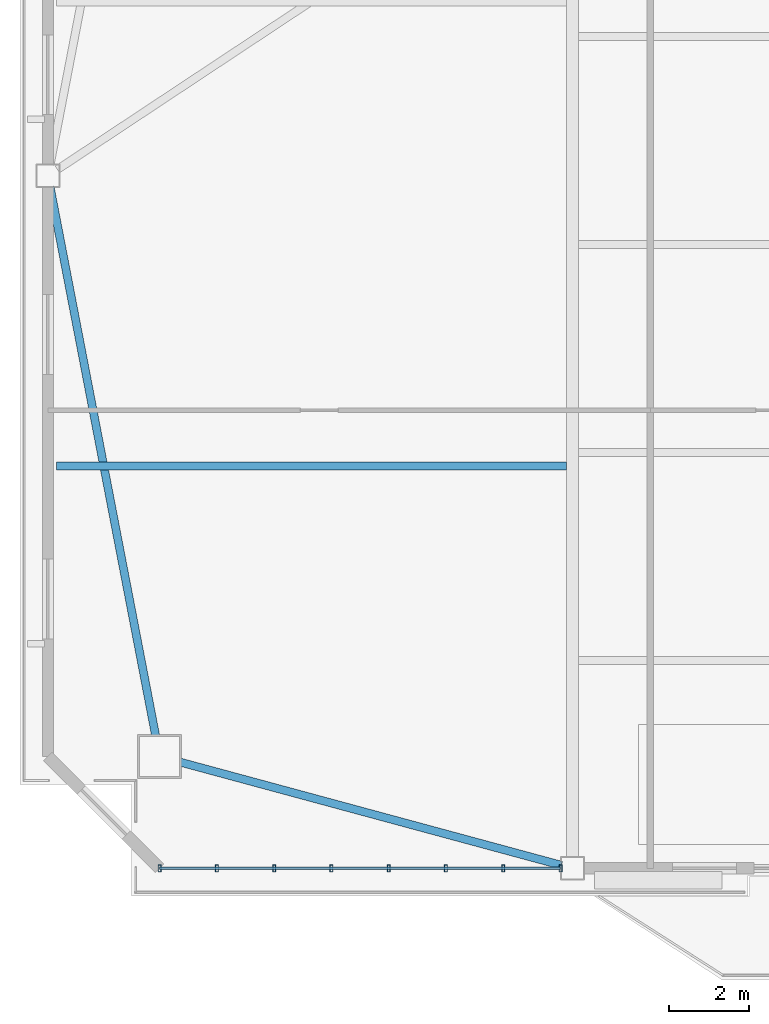
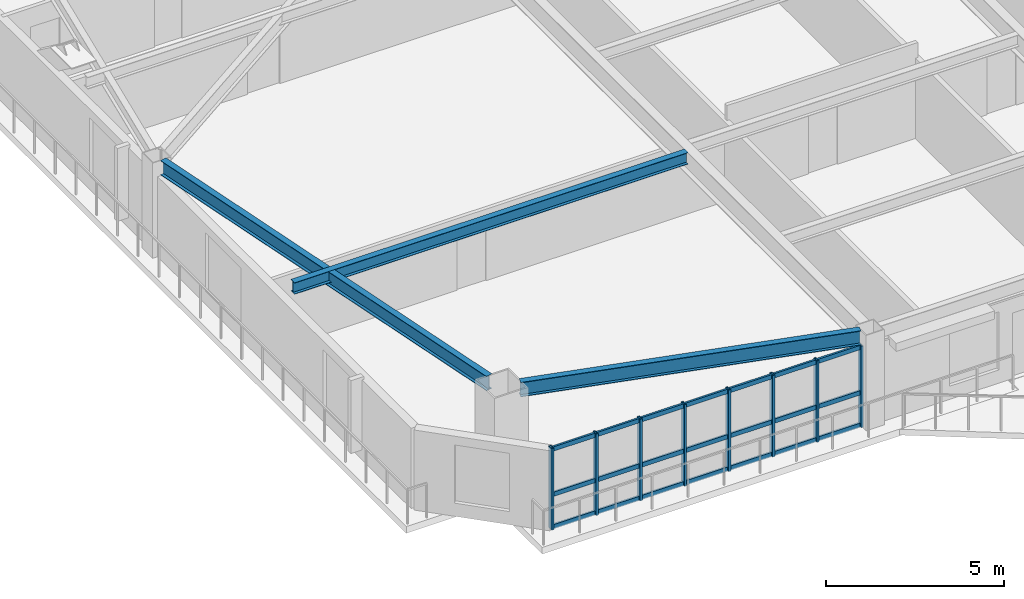
# One storey, part 2 of 17: 11 members, 3 beams, 1 element without a shape of its own.
"""IFC4 building model written with IfcOpenShell, lengths in metres."""

import ifcopenshell
import ifcopenshell.guid

model = None  # the IFC model being written
_history = None  # IfcOwnerHistory: only IFC2X3 demands one
_inside = {}  # id of a spatial element -> (the spatial element, [elements in it])
_under = {}  # id of a project, library or spatial element -> (it, [spatial elements below it])
_declared = {}  # id of a project -> (the project, [libraries it declares])
_typed = {}  # id of a type object -> (the type object, [elements of that type])
_made_of = {}  # id of a material, layer set ... -> (it, [elements and type objects made of it])


def new_model(schema):
    """Start an empty IFC model of exactly this schema.

    Asked for "IFC4X3", IfcOpenShell would pick the latest addendum, in which some entities
    have other attributes; the version numbers below select the first issue.
    IFC2X3 requires an IfcOwnerHistory on every rooted entity: one is made here for all.
    """
    global model, _history
    if schema == "IFC4X3":
        model = ifcopenshell.file(schema_version=(4, 3, 0, 0))
    else:
        model = ifcopenshell.file(schema=schema)
    _inside.clear()
    _under.clear()
    _declared.clear()
    _typed.clear()
    _made_of.clear()
    _history = None
    if model.schema == "IFC2X3":
        org = make("IfcOrganization", Name="unknown")
        user = make(
            "IfcPersonAndOrganization",
            ThePerson=make("IfcPerson", FamilyName="unknown"),
            TheOrganization=org,
        )
        app = make(
            "IfcApplication",
            ApplicationDeveloper=org,
            Version="unknown",
            ApplicationFullName="unknown",
            ApplicationIdentifier="unknown",
        )
        _history = make(
            "IfcOwnerHistory",
            OwningUser=user,
            OwningApplication=app,
            ChangeAction="ADDED",
            CreationDate=0,
        )
    return model


def make(cls, **values):
    """One entity of the class cls with the attributes given. An attribute that is None is left unset."""
    return model.create_entity(
        cls, **{name: value for name, value in values.items() if value is not None}
    )


def rooted(cls, **values):
    """An entity with a GlobalId (a new one), such as an element, a storey or a relation."""
    return make(cls, GlobalId=ifcopenshell.guid.new(), OwnerHistory=_history, **values)


def si_unit(unit_type, name, prefix=None):
    """IfcSIUnit, for example si_unit("LENGTHUNIT", "METRE", prefix="MILLI")."""
    return make("IfcSIUnit", UnitType=unit_type, Prefix=prefix, Name=name)


def assignment(units):
    """IfcUnitAssignment: the units of a project."""
    return None if units is None else make("IfcUnitAssignment", Units=units)


def point(xyz):
    """IfcCartesianPoint."""
    return None if xyz is None else make("IfcCartesianPoint", Coordinates=xyz)


def direction(xyz):
    """IfcDirection."""
    return None if xyz is None else make("IfcDirection", DirectionRatios=xyz)


def frame(location, z_axis=None, x_axis=None):
    """IfcAxis2Placement3D, a coordinate frame: its origin and axes. An axis left out is left unset."""
    return make(
        "IfcAxis2Placement3D",
        Location=point(location),
        Axis=direction(z_axis),
        RefDirection=direction(x_axis),
    )


def frame_2d(location, x_axis=None):
    """IfcAxis2Placement2D, a coordinate frame in the plane: its origin and x axis."""
    return make(
        "IfcAxis2Placement2D", Location=point(location), RefDirection=direction(x_axis)
    )


def origin():
    """The frame at (0, 0, 0) with its axes left unset."""
    return frame((0.0, 0.0, 0.0))


def origin_2d():
    """The frame at (0, 0) in the plane with its x axis left unset."""
    return frame_2d((0.0, 0.0))


def place(relative_to, where):
    """IfcLocalPlacement: puts the frame where relative to a parent placement (None: the world)."""
    return make(
        "IfcLocalPlacement", PlacementRelTo=relative_to, RelativePlacement=where
    )


def context(
    kind, dimensions, precision=None, world=None, true_north=None, identifier=None
):
    """IfcGeometricRepresentationContext, for example the 3D "Model" context."""
    return make(
        "IfcGeometricRepresentationContext",
        ContextIdentifier=identifier,
        ContextType=kind,
        CoordinateSpaceDimension=dimensions,
        Precision=precision,
        WorldCoordinateSystem=world,
        TrueNorth=true_north,
    )


def subcontext(parent, identifier, kind, view, scale=None):
    """IfcGeometricRepresentationSubContext, for example "Body" below "Model"."""
    return make(
        "IfcGeometricRepresentationSubContext",
        ContextIdentifier=identifier,
        ContextType=kind,
        ParentContext=parent,
        TargetScale=scale,
        TargetView=view,
    )


def project(units=None, contexts=None):
    """IfcProject with its units and contexts."""
    return rooted(
        "IfcProject",
        Name="project",
        RepresentationContexts=contexts,
        UnitsInContext=assignment(units),
    )


def spatial(cls, under=None, at=None, **own):
    """A site, building, storey or space (cls), placed at a placement, below another one or the project."""
    s = rooted(cls, ObjectPlacement=at, **own)
    if under is not None:
        _under.setdefault(under.id(), (under, []))[1].append(s)
    return s


def profile(cls, at=None, kind="AREA", **sizes):
    """A parametric profile (cls). Its sizes go by their IFC names, for example OverallWidth=200.0."""
    return make(cls, ProfileType=kind, Position=at, **sizes)


def hollow_rectangle(**sizes):
    """IfcRectangleHollowProfileDef."""
    return profile("IfcRectangleHollowProfileDef", **sizes)


def i_section(**sizes):
    """IfcIShapeProfileDef."""
    return profile("IfcIShapeProfileDef", **sizes)


def extrude(swept, where, along, depth):
    """IfcExtrudedAreaSolid: the profile swept, set in the frame where, extruded along a direction by depth."""
    return make(
        "IfcExtrudedAreaSolid",
        SweptArea=swept,
        Position=where,
        ExtrudedDirection=direction(along),
        Depth=depth,
    )


def shape(context_of_items, identifier, shape_type, items):
    """IfcShapeRepresentation: the items that make up one representation, for example the "Body"."""
    return make(
        "IfcShapeRepresentation",
        ContextOfItems=context_of_items,
        RepresentationIdentifier=identifier,
        RepresentationType=shape_type,
        Items=items,
    )


def source(mapping_origin, context_of_items, identifier, shape_type, items):
    """IfcRepresentationMap: a shape defined once, which mapped items show again and again."""
    return make(
        "IfcRepresentationMap",
        MappingOrigin=mapping_origin,
        MappedRepresentation=shape(context_of_items, identifier, shape_type, items),
    )


def transform(
    local_origin,
    x_axis=None,
    y_axis=None,
    z_axis=None,
    scale=None,
    scale2=None,
    scale3=None,
    uniform=True,
):
    """IfcCartesianTransformationOperator3D, or its non-uniform kind. x_axis, y_axis, z_axis: its Axis1, 2, 3."""
    if uniform:
        return make(
            "IfcCartesianTransformationOperator3D",
            Axis1=direction(x_axis),
            Axis2=direction(y_axis),
            LocalOrigin=point(local_origin),
            Scale=scale,
            Axis3=direction(z_axis),
        )
    return make(
        "IfcCartesianTransformationOperator3DnonUniform",
        Axis1=direction(x_axis),
        Axis2=direction(y_axis),
        LocalOrigin=point(local_origin),
        Scale=scale,
        Axis3=direction(z_axis),
        Scale2=scale2,
        Scale3=scale3,
    )


def mapped(mapping_source, mapping_target):
    """IfcMappedItem: shows the shape of a source again, moved by a transform."""
    return make(
        "IfcMappedItem", MappingSource=mapping_source, MappingTarget=mapping_target
    )


def material(Name=None, Category=None):
    """IfcMaterial."""
    return make("IfcMaterial", Name=Name, Category=Category)


def layer(
    of_material, thickness, ventilated=None, Name=None, Category=None, Priority=None
):
    """IfcMaterialLayer: one layer of a wall or slab, of a material (None: an air gap)."""
    return make(
        "IfcMaterialLayer",
        Material=of_material,
        LayerThickness=thickness,
        IsVentilated=ventilated,
        Name=Name,
        Category=Category,
        Priority=Priority,
    )


def layer_set(layers, Name=None):
    """IfcMaterialLayerSet."""
    return make("IfcMaterialLayerSet", MaterialLayers=layers, LayerSetName=Name)


def material_profile(
    of_material, cross_section, Name=None, Category=None, Priority=None
):
    """IfcMaterialProfile: a cross section and its material."""
    return make(
        "IfcMaterialProfile",
        Name=Name,
        Material=of_material,
        Profile=cross_section,
        Priority=Priority,
        Category=Category,
    )


def profile_set(profiles, Name=None, composite=None):
    """IfcMaterialProfileSet."""
    return make(
        "IfcMaterialProfileSet",
        Name=Name,
        MaterialProfiles=profiles,
        CompositeProfile=composite,
    )


def made_of(thing, what):
    """Note that an element or type object is made of a material, layer set ...; save() writes the relation."""
    if what is not None:
        _made_of.setdefault(what.id(), (what, []))[1].append(thing)
    return thing


def type_object(cls, material=None, **own):
    """A type object (cls), such as IfcWallType, which elements share."""
    return made_of(rooted(cls, **own), material)


def element(
    cls,
    number,
    at=None,
    inside=None,
    cuts=None,
    type_object=None,
    material=None,
    context=None,
    identifier="Body",
    shape_type=None,
    held_by="IfcProductDefinitionShape",
    body=None,
    shapes=None,
    **own,
):
    """One element of the class cls, such as IfcWall. Its Tag is "e" and its number.

    at: its placement. inside: the storey or other place that contains it. cuts: it is an
    opening in that element (IfcRelVoidsElement). A single representation is given by context,
    identifier, shape_type and body (its items); several are given by shapes. held_by: the class
    of the entity that holds the representations. save() writes the other relations.
    """
    e = rooted(cls, Tag="e%d" % number, ObjectPlacement=at, **own)
    if body is not None:
        shapes = [shape(context, identifier, shape_type, body)]
    if shapes is not None:
        e.Representation = make(held_by, Representations=shapes)
    if inside is not None:
        _inside.setdefault(inside.id(), (inside, []))[1].append(e)
    if cuts is not None:
        rooted(
            "IfcRelVoidsElement", RelatingBuildingElement=cuts, RelatedOpeningElement=e
        )
    if type_object is not None:
        _typed.setdefault(type_object.id(), (type_object, []))[1].append(e)
    return made_of(e, material)


def aggregate(whole, parts):
    """IfcRelAggregates: a whole, such as a stair, and the parts it consists of."""
    return rooted("IfcRelAggregates", RelatingObject=whole, RelatedObjects=parts)


def save(model, path):
    """Write the relations noted so far, then the file.

    IfcRelAggregates (storeys below a building ...), IfcRelContainedInSpatialStructure (elements
    in a storey), IfcRelDefinesByType, IfcRelAssociatesMaterial and IfcRelDeclares: one each for
    every whole, place, type object, material and project.
    """
    for whole, parts in _under.values():
        aggregate(whole, parts)
    for where, things in _inside.values():
        rooted(
            "IfcRelContainedInSpatialStructure",
            RelatedElements=things,
            RelatingStructure=where,
        )
    for kind, things in _typed.values():
        rooted("IfcRelDefinesByType", RelatedObjects=things, RelatingType=kind)
    for what, things in _made_of.values():
        rooted("IfcRelAssociatesMaterial", RelatedObjects=things, RelatingMaterial=what)
    for by, libraries in _declared.values():
        rooted("IfcRelDeclares", RelatingContext=by, RelatedDefinitions=libraries)
    model.write(path)


model = new_model("IFC4")

# Units and contexts
model_context = context("Model", 3, precision=1e-05, world=origin(), true_north=direction((0.0, 1.0)))
body_context = subcontext(model_context, "Body", "Model", "MODEL_VIEW")
ifc_project = project(units=[si_unit("LENGTHUNIT", "METRE"), si_unit("AREAUNIT", "SQUARE_METRE"), si_unit("VOLUMEUNIT", "CUBIC_METRE"), si_unit("PLANEANGLEUNIT", "RADIAN"), si_unit("MASSUNIT", "GRAM", prefix="KILO")], contexts=[model_context])

# Site, building, storey
site_placement = place(None, origin())
site = spatial("IfcSite", under=ifc_project, at=site_placement, CompositionType="ELEMENT")
building_placement = place(site_placement, origin())
building = spatial("IfcBuilding", under=site, at=building_placement, Name="Giltprow Tower", CompositionType="ELEMENT")
storey_placement = place(building_placement, frame((0.0, 0.0, 206.199951171875)))
storey = spatial("IfcBuildingStorey", under=building, at=storey_placement, Name="L52", CompositionType="ELEMENT", Elevation=206.199951171875)

# Beams
ifc_material_1 = material(Name="Structural steel Q355B", Category="steel")
ifc_material_profile_1 = material_profile(ifc_material_1, i_section(OverallWidth=0.199951171875, OverallDepth=0.5, WebThickness=0.010009765625, FlangeThickness=0.01611328125, at=origin_2d()), Name="HN 500x200x10x16")
ifc_profile_set_1 = profile_set([ifc_material_profile_1], Name="Structural steel Q355B")
beam_type_1 = type_object("IfcBeamType", Name="BM-SPAN-HN500", PredefinedType="SPANDREL", material=ifc_profile_set_1)
shared_shape_1 = source(origin(), body_context, "Body", "SweptSolid", [
    extrude(i_section(OverallWidth=0.199951171875, OverallDepth=0.5, WebThickness=0.010009765625, FlangeThickness=0.01611328125, at=origin_2d()), origin(), (0.0, 0.0, 1.0), 9.899658203125),
])
beam_1_placement = place(storey_placement, frame((10.01904296875, 14.0458984375, 3.02001953125), z_axis=(0.965280411384, -0.261215863605, 0.0), x_axis=(0.261215863605, 0.965280411384, 0.0)))
element("IfcBeam", 1, at=beam_1_placement, inside=storey, type_object=beam_type_1, Name="L52 Perimeter Spandrel Beam MC_SW-S1", PredefinedType="SPANDREL", context=body_context, shape_type="MappedRepresentation", body=[
    mapped(shared_shape_1, transform((0.0, 0.0, 0.0), x_axis=(1.0, 0.0, 0.0), y_axis=(0.0, 1.0, 0.0), z_axis=(0.0, 0.0, 1.0), scale=1.0)),
])
shared_shape_2 = source(origin(), body_context, "Body", "SweptSolid", [
    extrude(i_section(OverallWidth=0.199951171875, OverallDepth=0.5, WebThickness=0.010009765625, FlangeThickness=0.01611328125, at=origin_2d()), origin(), (0.0, 0.0, 1.0), 14.00390625),
])
beam_2_placement = place(storey_placement, frame((6.757080078125, 28.462890625, 3.02001953125), z_axis=(0.188875844444, -0.982000975247, 0.0), x_axis=(0.982000975247, 0.188875844444, 0.0)))
element("IfcBeam", 2, at=beam_2_placement, inside=storey, type_object=beam_type_1, Name="L52 Perimeter Spandrel Beam W_MID-MC_SW", PredefinedType="SPANDREL", context=body_context, shape_type="MappedRepresentation", body=[
    mapped(shared_shape_2, transform((0.0, 0.0, 0.0), x_axis=(1.0, 0.0, 0.0), y_axis=(0.0, 1.0, 0.0), z_axis=(0.0, 0.0, 1.0), scale=1.0)),
])
ifc_material_profile_2 = material_profile(ifc_material_1, i_section(OverallWidth=0.199951171875, OverallDepth=0.39990234375, WebThickness=0.008056640625, FlangeThickness=0.012939453125, at=origin_2d()), Name="HN 400x200x8x13")
ifc_profile_set_2 = profile_set([ifc_material_profile_2], Name="Structural steel Q355B")
beam_type_2 = type_object("IfcBeamType", Name="BM-JOIST-HN400", PredefinedType="JOIST", material=ifc_profile_set_2)
shared_shape_3 = source(origin(), body_context, "Body", "SweptSolid", [
    extrude(i_section(OverallWidth=0.199951171875, OverallDepth=0.39990234375, WebThickness=0.008056640625, FlangeThickness=0.012939453125, at=origin_2d()), origin(), (0.0, 0.0, 1.0), 12.781982421875),
])
beam_3_placement = place(storey_placement, frame((6.923095703125, 21.465087890625, 3.070068359375), z_axis=(1.0, 0.0, 0.0), x_axis=(0.0, 1.0, 0.0)))
element("IfcBeam", 3, at=beam_3_placement, inside=storey, type_object=beam_type_2, Name="L52 West Wing Floor Joist 1", PredefinedType="JOIST", context=body_context, shape_type="MappedRepresentation", body=[
    mapped(shared_shape_3, transform((0.0, 0.0, 0.0), x_axis=(1.0, 0.0, 0.0), y_axis=(0.0, 1.0, 0.0), z_axis=(0.0, 0.0, 1.0), scale=1.0)),
])

# Curtain wall, members
ifc_material_2 = material(Name="Anodized bronze", Category="metal")
ifc_layer = layer(ifc_material_2, 0.179931640625, Name="Anodized bronze")
ifc_layer_set = layer_set([ifc_layer], Name="Anodized bronze")
curtain_wall_type = type_object("IfcCurtainWallType", Name="CW-HTL-BRONZE", PredefinedType="NOTDEFINED", material=ifc_layer_set)
curtain_wall_placement = place(storey_placement, origin())
curtain_wall = element("IfcCurtainWall", 4, at=curtain_wall_placement, inside=storey, type_object=curtain_wall_type, Name="L52 South Recessed Curtain Wall 1", PredefinedType="NOTDEFINED")
ifc_material_profile_3 = material_profile(ifc_material_2, hollow_rectangle(XDim=0.074951171875, YDim=0.179931640625, WallThickness=0.008056640625, at=origin_2d()), Name="RHS 180x75x8")
ifc_profile_set_3 = profile_set([ifc_material_profile_3], Name="Anodized bronze")
member_type_1 = type_object("IfcMemberType", Name="CW-MULLION-180x75", PredefinedType="MULLION", material=ifc_profile_set_3)
shared_shape_4 = source(origin(), body_context, "Body", "SweptSolid", [
    extrude(hollow_rectangle(XDim=0.074951171875, YDim=0.179931640625, WallThickness=0.008056640625, at=origin_2d()), origin(), (0.0, 0.0, 1.0), 2.80517578125),
])
member_1_placement = place(storey_placement, frame((9.5029296875, 11.385986328125, -0.02001953125), z_axis=(0.0, 0.0, 1.0), x_axis=(1.0, 0.0, 0.0)))
member_1 = element("IfcMember", 5, at=member_1_placement, type_object=member_type_1, Name="L52 South Recessed Curtain Wall 1 Mullion 1", PredefinedType="MULLION", context=body_context, shape_type="MappedRepresentation", body=[
    mapped(shared_shape_4, transform((0.0, 0.0, 0.0), x_axis=(1.0, 0.0, 0.0), y_axis=(0.0, 1.0, 0.0), z_axis=(0.0, 0.0, 1.0), scale=1.0)),
])
member_2_placement = place(storey_placement, frame((10.93798828125, 11.385986328125, -0.02001953125), z_axis=(0.0, 0.0, 1.0), x_axis=(1.0, 0.0, 0.0)))
member_2 = element("IfcMember", 6, at=member_2_placement, type_object=member_type_1, Name="L52 South Recessed Curtain Wall 1 Mullion 2", PredefinedType="MULLION", context=body_context, shape_type="MappedRepresentation", body=[
    mapped(shared_shape_4, transform((0.0, 0.0, 0.0), x_axis=(1.0, 0.0, 0.0), y_axis=(0.0, 1.0, 0.0), z_axis=(0.0, 0.0, 1.0), scale=1.0)),
])
member_3_placement = place(storey_placement, frame((12.3740234375, 11.385986328125, -0.02001953125), z_axis=(0.0, 0.0, 1.0), x_axis=(1.0, 0.0, 0.0)))
member_3 = element("IfcMember", 7, at=member_3_placement, type_object=member_type_1, Name="L52 South Recessed Curtain Wall 1 Mullion 3", PredefinedType="MULLION", context=body_context, shape_type="MappedRepresentation", body=[
    mapped(shared_shape_4, transform((0.0, 0.0, 0.0), x_axis=(1.0, 0.0, 0.0), y_axis=(0.0, 1.0, 0.0), z_axis=(0.0, 0.0, 1.0), scale=1.0)),
])
member_4_placement = place(storey_placement, frame((13.80908203125, 11.385986328125, -0.02001953125), z_axis=(0.0, 0.0, 1.0), x_axis=(1.0, 0.0, 0.0)))
member_4 = element("IfcMember", 8, at=member_4_placement, type_object=member_type_1, Name="L52 South Recessed Curtain Wall 1 Mullion 4", PredefinedType="MULLION", context=body_context, shape_type="MappedRepresentation", body=[
    mapped(shared_shape_4, transform((0.0, 0.0, 0.0), x_axis=(1.0, 0.0, 0.0), y_axis=(0.0, 1.0, 0.0), z_axis=(0.0, 0.0, 1.0), scale=1.0)),
])
member_5_placement = place(storey_placement, frame((15.243896484375, 11.385986328125, -0.02001953125), z_axis=(0.0, 0.0, 1.0), x_axis=(1.0, 0.0, 0.0)))
member_5 = element("IfcMember", 9, at=member_5_placement, type_object=member_type_1, Name="L52 South Recessed Curtain Wall 1 Mullion 5", PredefinedType="MULLION", context=body_context, shape_type="MappedRepresentation", body=[
    mapped(shared_shape_4, transform((0.0, 0.0, 0.0), x_axis=(1.0, 0.0, 0.0), y_axis=(0.0, 1.0, 0.0), z_axis=(0.0, 0.0, 1.0), scale=1.0)),
])
member_6_placement = place(storey_placement, frame((16.678955078125, 11.385986328125, -0.02001953125), z_axis=(0.0, 0.0, 1.0), x_axis=(1.0, 0.0, 0.0)))
member_6 = element("IfcMember", 10, at=member_6_placement, type_object=member_type_1, Name="L52 South Recessed Curtain Wall 1 Mullion 6", PredefinedType="MULLION", context=body_context, shape_type="MappedRepresentation", body=[
    mapped(shared_shape_4, transform((0.0, 0.0, 0.0), x_axis=(1.0, 0.0, 0.0), y_axis=(0.0, 1.0, 0.0), z_axis=(0.0, 0.0, 1.0), scale=1.0)),
])
member_7_placement = place(storey_placement, frame((18.114990234375, 11.385986328125, -0.02001953125), z_axis=(0.0, 0.0, 1.0), x_axis=(1.0, 0.0, 0.0)))
member_7 = element("IfcMember", 11, at=member_7_placement, type_object=member_type_1, Name="L52 South Recessed Curtain Wall 1 Mullion 7", PredefinedType="MULLION", context=body_context, shape_type="MappedRepresentation", body=[
    mapped(shared_shape_4, transform((0.0, 0.0, 0.0), x_axis=(1.0, 0.0, 0.0), y_axis=(0.0, 1.0, 0.0), z_axis=(0.0, 0.0, 1.0), scale=1.0)),
])
member_8_placement = place(storey_placement, frame((19.550048828125, 11.385986328125, -0.02001953125), z_axis=(0.0, 0.0, 1.0), x_axis=(1.0, 0.0, 0.0)))
member_8 = element("IfcMember", 12, at=member_8_placement, type_object=member_type_1, Name="L52 South Recessed Curtain Wall 1 Mullion 8", PredefinedType="MULLION", context=body_context, shape_type="MappedRepresentation", body=[
    mapped(shared_shape_4, transform((0.0, 0.0, 0.0), x_axis=(1.0, 0.0, 0.0), y_axis=(0.0, 1.0, 0.0), z_axis=(0.0, 0.0, 1.0), scale=1.0)),
])
ifc_material_profile_4 = material_profile(ifc_material_2, hollow_rectangle(XDim=0.06494140625, YDim=0.14990234375, WallThickness=0.006103515625, at=origin_2d()), Name="RHS 150x65x6")
ifc_profile_set_4 = profile_set([ifc_material_profile_4], Name="Anodized bronze")
member_type_2 = type_object("IfcMemberType", Name="CW-TRANSOM-150x65", PredefinedType="USERDEFINED", material=ifc_profile_set_4)
shared_shape_5 = source(origin(), body_context, "Body", "SweptSolid", [
    extrude(hollow_rectangle(XDim=0.06494140625, YDim=0.14990234375, WallThickness=0.006103515625, at=origin_2d()), origin(), (0.0, 0.0, 1.0), 10.047119140625),
])
member_9_placement = place(storey_placement, frame((9.5029296875, 11.385986328125, 0.0400390625), z_axis=(1.0, 0.0, 0.0), x_axis=(0.0, 1.0, 0.0)))
member_9 = element("IfcMember", 13, at=member_9_placement, type_object=member_type_2, Name="L52 South Recessed Curtain Wall 1 Transom 1", ObjectType="TRANSOM", PredefinedType="USERDEFINED", context=body_context, shape_type="MappedRepresentation", body=[
    mapped(shared_shape_5, transform((0.0, 0.0, 0.0), x_axis=(1.0, 0.0, 0.0), y_axis=(0.0, 1.0, 0.0), z_axis=(0.0, 0.0, 1.0), scale=1.0)),
])
member_10_placement = place(storey_placement, frame((9.5029296875, 11.385986328125, 1.155029296875), z_axis=(1.0, 0.0, 0.0), x_axis=(0.0, 1.0, 0.0)))
member_10 = element("IfcMember", 14, at=member_10_placement, type_object=member_type_2, Name="L52 South Recessed Curtain Wall 1 Transom 2", ObjectType="TRANSOM", PredefinedType="USERDEFINED", context=body_context, shape_type="MappedRepresentation", body=[
    mapped(shared_shape_5, transform((0.0, 0.0, 0.0), x_axis=(1.0, 0.0, 0.0), y_axis=(0.0, 1.0, 0.0), z_axis=(0.0, 0.0, 1.0), scale=1.0)),
])
member_11_placement = place(storey_placement, frame((9.5029296875, 11.385986328125, 2.7099609375), z_axis=(1.0, 0.0, 0.0), x_axis=(0.0, 1.0, 0.0)))
member_11 = element("IfcMember", 15, at=member_11_placement, type_object=member_type_2, Name="L52 South Recessed Curtain Wall 1 Transom 3", ObjectType="TRANSOM", PredefinedType="USERDEFINED", context=body_context, shape_type="MappedRepresentation", body=[
    mapped(shared_shape_5, transform((0.0, 0.0, 0.0), x_axis=(1.0, 0.0, 0.0), y_axis=(0.0, 1.0, 0.0), z_axis=(0.0, 0.0, 1.0), scale=1.0)),
])
aggregate(curtain_wall, [member_1, member_2, member_3, member_4, member_5, member_6, member_7, member_8, member_9, member_10, member_11])

save(model, "model.ifc")
